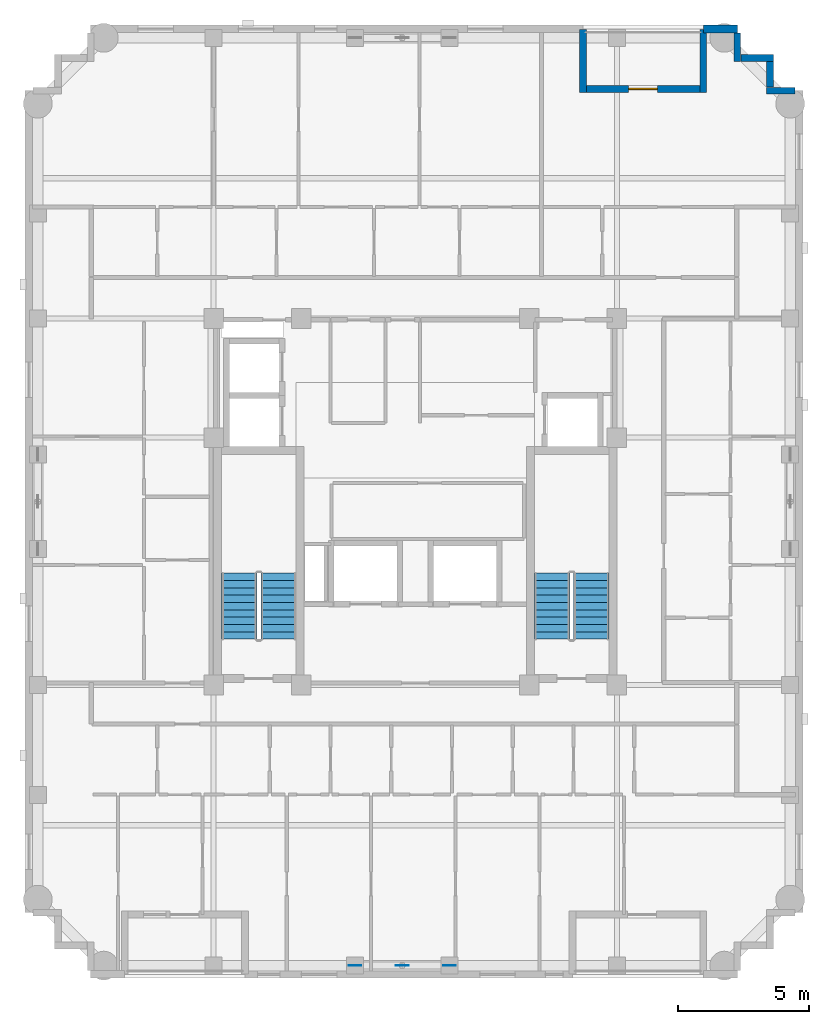
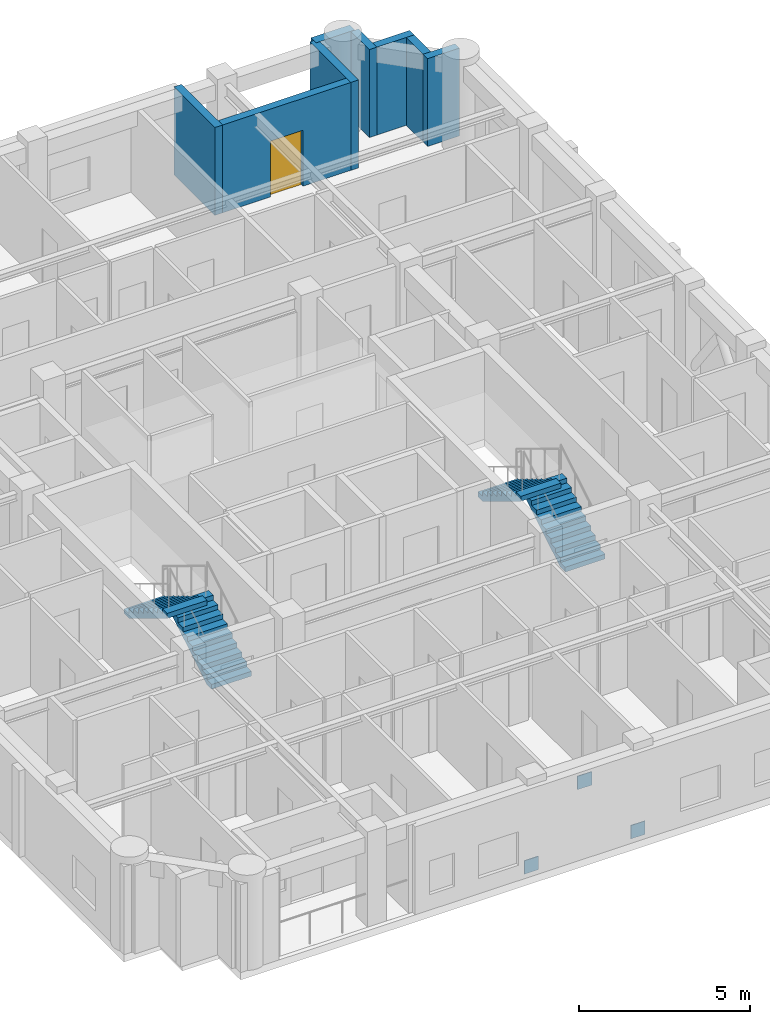
# One storey, part 8 of 11: 8 walls, 4 stair flights, 3 discrete accessories, 1 door, 1 opening, 2 elements without a shape of their own.
"""IFC4 building model written with IfcOpenShell, lengths in metres."""

from ifc_helpers import new_model, si_unit, derived_unit, direction, frame, frame_2d, origin, origin_2d, place, context, subcontext, project, spatial, polyline, rectangle, outline, extrude, material, layer, layer_set, type_object, element, fill, aggregate, save


model = new_model("IFC4")

# Units and contexts
model_context = context("Model", 3, precision=1e-05, world=origin(), true_north=direction((0.0, 1.0)))
body_context = subcontext(model_context, "Body", "Model", "MODEL_VIEW")
ifc_project = project(units=[si_unit("LENGTHUNIT", "METRE"), si_unit("AREAUNIT", "SQUARE_METRE"), si_unit("VOLUMEUNIT", "CUBIC_METRE"), si_unit("PLANEANGLEUNIT", "RADIAN"), si_unit("MASSUNIT", "GRAM", prefix="KILO"), derived_unit("THERMALTRANSMITTANCEUNIT", [(si_unit("MASSUNIT", "GRAM", prefix="KILO"), 1), (si_unit("TIMEUNIT", "SECOND"), -3), (si_unit("THERMODYNAMICTEMPERATUREUNIT", "KELVIN"), -1)])], contexts=[model_context])

# Site, building, storey
site_placement = place(None, origin())
site = spatial("IfcSite", under=ifc_project, at=site_placement, CompositionType="ELEMENT")
building_placement = place(site_placement, origin())
building = spatial("IfcBuilding", under=site, at=building_placement, Name="Korrvale Station Residences", CompositionType="ELEMENT")
storey_placement = place(building_placement, frame((0.0, 0.0, 227.5)))
storey = spatial("IfcBuildingStorey", under=building, at=storey_placement, Name="L66", CompositionType="ELEMENT", Elevation=227.5)

# Wall
ifc_material_1 = material(Name="Precast concrete C45/55", Category="concrete")
ifc_layer_1 = layer(ifc_material_1, 0.260009765625, Name="Precast concrete C45/55")
ifc_layer_set_1 = layer_set([ifc_layer_1], Name="Precast concrete C45/55")
wall_type_1 = type_object("IfcWallType", Name="WAL-EXT-LOG260", PredefinedType="SOLIDWALL", material=ifc_layer_set_1)
wall_1_placement = place(storey_placement, frame((31.89990234375, 40.0400390625, 0.0), z_axis=(0.0, 0.0, 1.0), x_axis=(0.0, -1.0, 0.0)))
element("IfcWall", 1, at=wall_1_placement, inside=storey, type_object=wall_type_1, Name="L66 Recessed Loggia Wall BAL-L66-N1-L", PredefinedType="SOLIDWALL", context=body_context, shape_type="SweptSolid", body=[
    extrude(rectangle(XDim=2.400146484375, YDim=0.260009765625, at=frame_2d((1.2001953125, 0.0))), origin(), (0.0, 0.0, 1.0), 3.139892578125),
])

# Wall, opening, door
wall_2_placement = place(storey_placement, frame((32.033935546875, 37.77001953125, 0.0), z_axis=(0.0, 0.0, 1.0), x_axis=(1.0, 0.0, 0.0)))
wall_2 = element("IfcWall", 2, at=wall_2_placement, inside=storey, type_object=wall_type_1, Name="L66 Recessed Loggia Wall BAL-L66-N1-B", PredefinedType="SOLIDWALL", context=body_context, shape_type="SweptSolid", body=[
    extrude(rectangle(XDim=4.33203125, YDim=0.260009765625, at=frame_2d((2.166015625, 0.0))), origin(), (0.0, 0.0, 1.0), 3.139892578125),
])
opening_placement = place(wall_2_placement, frame((1.615966796875, 0.0, 0.0)))
opening = element("IfcOpeningElement", 3, at=opening_placement, cuts=wall_2, Name="Opening BD-01", PredefinedType="OPENING", context=body_context, shape_type="SweptSolid", body=[
    extrude(rectangle(XDim=1.10009765625, YDim=2.0, at=frame_2d((0.550048828125, 1.0))), frame((0.0, 0.14013671875, 0.0), z_axis=(0.0, -1.0, 0.0), x_axis=(1.0, 0.0, 0.0)), (0.0, 0.0, 1.0), 0.280029296875),
])
ifc_material_2 = material(Name="Exterior thermally broken aluminium glazed balcony door", Category="aluminium")
door_type = type_object("IfcDoorType", Name="DR-EXT-BAL", OperationType="NOTDEFINED", PredefinedType="DOOR", material=ifc_material_2)
door_placement = place(opening_placement, origin())
door = element("IfcDoor", 4, at=door_placement, inside=storey, type_object=door_type, Name="L66 Loggia Balcony Door BAL-L66-N1", OperationType="SINGLE_SWING_LEFT", OverallHeight=2.0, OverallWidth=1.10009765625, PredefinedType="DOOR", context=body_context, shape_type="SweptSolid", body=[
    extrude(rectangle(XDim=1.10009765625, YDim=2.0, at=frame_2d((0.550048828125, 1.0))), frame((0.0, 0.02490234375, 0.0), z_axis=(0.0, -1.0, 0.0), x_axis=(1.0, 0.0, 0.0)), (0.0, 0.0, 1.0), 0.050048828125),
])
fill(opening, door)

# Walls
wall_3_placement = place(storey_placement, frame((36.5, 37.639892578125, 0.0), z_axis=(0.0, 0.0, 1.0), x_axis=(0.0, 1.0, 0.0)))
element("IfcWall", 5, at=wall_3_placement, inside=storey, type_object=wall_type_1, Name="L66 Recessed Loggia Wall BAL-L66-N1-R", PredefinedType="SOLIDWALL", context=body_context, shape_type="SweptSolid", body=[
    extrude(rectangle(XDim=2.400146484375, YDim=0.260009765625, at=frame_2d((1.2001953125, 0.0))), origin(), (0.0, 0.0, 1.0), 3.139892578125),
])
wall_4_placement = place(storey_placement, frame((37.800048828125, 39.89794921875, 0.0), z_axis=(0.0, 0.0, 1.0), x_axis=(0.0, -1.0, 0.0)))
element("IfcWall", 6, at=wall_4_placement, inside=storey, type_object=wall_type_1, Name="L66 Serrated Corner Precast Step NE-1", PredefinedType="SOLIDWALL", context=body_context, shape_type="SweptSolid", body=[
    extrude(rectangle(XDim=1.077880859375, YDim=0.260009765625, at=frame_2d((0.5390625, 0.0))), origin(), (0.0, 0.0, 1.0), 3.139892578125),
])
wall_5_placement = place(storey_placement, frame((37.931884765625, 38.949951171875, 0.0), z_axis=(0.0, 0.0, 1.0), x_axis=(1.0, 0.0, 0.0)))
element("IfcWall", 7, at=wall_5_placement, inside=storey, type_object=wall_type_1, Name="L66 Serrated Corner Precast Step NE-2", PredefinedType="SOLIDWALL", context=body_context, shape_type="SweptSolid", body=[
    extrude(rectangle(XDim=1.248046875, YDim=0.260009765625, at=frame_2d((0.6240234375, 0.0))), origin(), (0.0, 0.0, 1.0), 3.139892578125),
])
wall_6_placement = place(storey_placement, frame((39.050048828125, 38.818115234375, 0.0), z_axis=(0.0, 0.0, 1.0), x_axis=(0.0, -1.0, 0.0)))
element("IfcWall", 8, at=wall_6_placement, inside=storey, type_object=wall_type_1, Name="L66 Serrated Corner Precast Step NE-3", PredefinedType="SOLIDWALL", context=body_context, shape_type="SweptSolid", body=[
    extrude(rectangle(XDim=0.986083984375, YDim=0.260009765625, at=frame_2d((0.4931640625, 0.0))), origin(), (0.0, 0.0, 1.0), 3.139892578125),
])
wall_7_placement = place(storey_placement, frame((38.919921875, 37.699951171875, 0.0), z_axis=(0.0, 0.0, 1.0), x_axis=(1.0, 0.0, 0.0)))
element("IfcWall", 9, at=wall_7_placement, inside=storey, type_object=wall_type_1, Name="L66 Serrated Corner Precast Step NE-4", PredefinedType="SOLIDWALL", context=body_context, shape_type="SweptSolid", body=[
    extrude(rectangle(XDim=1.078125, YDim=0.260009765625, at=frame_2d((0.5390625, 0.0))), origin(), (0.0, 0.0, 1.0), 3.139892578125),
])
ifc_layer_2 = layer(ifc_material_1, 0.300048828125, Name="Precast concrete C45/55")
ifc_layer_set_2 = layer_set([ifc_layer_2], Name="Precast concrete C45/55")
wall_type_2 = type_object("IfcWallType", Name="WAL-EXT-PC300", PredefinedType="SOLIDWALL", material=ifc_layer_set_2)
wall_8_placement = place(storey_placement, frame((36.5, 40.050048828125, 0.0), z_axis=(0.0, 0.0, 1.0), x_axis=(1.0, 0.0, 0.0)))
element("IfcWall", 10, at=wall_8_placement, inside=storey, type_object=wall_type_2, Name="L66 North Exterior Precast Wall 2", PredefinedType="SOLIDWALL", context=body_context, shape_type="SweptSolid", body=[
    extrude(rectangle(XDim=1.300048828125, YDim=0.300048828125, at=frame_2d((0.64990234375, 0.0))), origin(), (0.0, 0.0, 1.0), 3.139892578125),
])

# Stair, stair flights
ifc_material_3 = material(Name="Concrete C50/60", Category="concrete")
stair_type = type_object("IfcStairType", Name="STR-DL-1350-20R-1700", PredefinedType="HALF_TURN_STAIR", material=ifc_material_3)
stair_1_placement = place(storey_placement, origin())
stair_1 = element("IfcStair", 11, at=stair_1_placement, inside=storey, type_object=stair_type, Name="L66 Exit Stair 1", PredefinedType="HALF_TURN_STAIR")
stair_flight_type = type_object("IfcStairFlightType", Name="FLT-DL-1350-20R-1700", PredefinedType="STRAIGHT", material=ifc_material_3)
stair_flight_1_placement = place(storey_placement, frame((20.27490234375, 16.75, 0.0), z_axis=(0.0, 0.0, 1.0), x_axis=(0.0, 1.0, 0.0)))
stair_flight_1 = element("IfcStairFlight", 12, at=stair_flight_1_placement, type_object=stair_flight_type, Name="ST-1 flight 1", NumberOfRisers=10, NumberOfTreads=9, PredefinedType="STRAIGHT", RiserHeight=0.17, TreadLength=0.28, context=body_context, shape_type="SweptSolid", body=[
    extrude(outline(polyline([(0.0, 0.0), (0.0, 0.169921875), (0.280029296875, 0.169921875), (0.280029296875, 0.340087890625), (0.56005859375, 0.340087890625), (0.56005859375, 0.510009765625), (0.840087890625, 0.510009765625), (0.840087890625, 0.679931640625), (1.1201171875, 0.679931640625), (1.1201171875, 0.85009765625), (1.39990234375, 0.85009765625), (1.39990234375, 1.02001953125), (1.679931640625, 1.02001953125), (1.679931640625, 1.18994140625), (1.9599609375, 1.18994140625), (1.9599609375, 1.360107421875), (2.239990234375, 1.360107421875), (2.239990234375, 1.530029296875), (2.52001953125, 1.530029296875), (2.52001953125, 1.699951171875), (2.52001953125, 1.354736328125), (0.288818359375, 0.0), (0.0, 0.0)])), frame((0.0, 0.675048828125, 0.0), z_axis=(0.0, -1.0, 0.0), x_axis=(1.0, 0.0, 0.0)), (0.0, 0.0, 1.0), 1.35009765625),
])
stair_flight_2_placement = place(storey_placement, frame((18.77490234375, 19.27001953125, 1.699951171875), z_axis=(0.0, 0.0, 1.0), x_axis=(0.0, -1.0, 0.0)))
stair_flight_2 = element("IfcStairFlight", 13, at=stair_flight_2_placement, type_object=stair_flight_type, Name="ST-1 flight 2", NumberOfRisers=10, NumberOfTreads=9, PredefinedType="STRAIGHT", RiserHeight=0.17, TreadLength=0.28, context=body_context, shape_type="SweptSolid", body=[
    extrude(outline(polyline([(0.0, 0.0), (0.0, 0.169921875), (0.280029296875, 0.169921875), (0.280029296875, 0.340087890625), (0.56005859375, 0.340087890625), (0.56005859375, 0.510009765625), (0.840087890625, 0.510009765625), (0.840087890625, 0.679931640625), (1.1201171875, 0.679931640625), (1.1201171875, 0.85009765625), (1.39990234375, 0.85009765625), (1.39990234375, 1.02001953125), (1.679931640625, 1.02001953125), (1.679931640625, 1.18994140625), (1.9599609375, 1.18994140625), (1.9599609375, 1.360107421875), (2.239990234375, 1.360107421875), (2.239990234375, 1.530029296875), (2.52001953125, 1.530029296875), (2.52001953125, 1.699951171875), (2.52001953125, 1.354736328125), (0.288818359375, 0.0), (0.0, 0.0)])), frame((0.0, 0.675048828125, 0.0), z_axis=(0.0, -1.0, 0.0), x_axis=(1.0, 0.0, 0.0)), (0.0, 0.0, 1.0), 1.35009765625),
])
aggregate(stair_1, [stair_flight_1, stair_flight_2])

stair_2_placement = place(storey_placement, origin())
stair_2 = element("IfcStair", 14, at=stair_2_placement, inside=storey, type_object=stair_type, Name="L66 Exit Stair 2", PredefinedType="HALF_TURN_STAIR")
stair_flight_3_placement = place(storey_placement, frame((32.22509765625, 16.75, 0.0), z_axis=(0.0, 0.0, 1.0), x_axis=(0.0, 1.0, 0.0)))
stair_flight_3 = element("IfcStairFlight", 15, at=stair_flight_3_placement, type_object=stair_flight_type, Name="ST-2 flight 1", NumberOfRisers=10, NumberOfTreads=9, PredefinedType="STRAIGHT", RiserHeight=0.17, TreadLength=0.28, context=body_context, shape_type="SweptSolid", body=[
    extrude(outline(polyline([(0.0, 0.0), (0.0, 0.169921875), (0.280029296875, 0.169921875), (0.280029296875, 0.340087890625), (0.56005859375, 0.340087890625), (0.56005859375, 0.510009765625), (0.840087890625, 0.510009765625), (0.840087890625, 0.679931640625), (1.1201171875, 0.679931640625), (1.1201171875, 0.85009765625), (1.39990234375, 0.85009765625), (1.39990234375, 1.02001953125), (1.679931640625, 1.02001953125), (1.679931640625, 1.18994140625), (1.9599609375, 1.18994140625), (1.9599609375, 1.360107421875), (2.239990234375, 1.360107421875), (2.239990234375, 1.530029296875), (2.52001953125, 1.530029296875), (2.52001953125, 1.699951171875), (2.52001953125, 1.354736328125), (0.288818359375, 0.0), (0.0, 0.0)])), frame((0.0, 0.675048828125, 0.0), z_axis=(0.0, -1.0, 0.0), x_axis=(1.0, 0.0, 0.0)), (0.0, 0.0, 1.0), 1.35009765625),
])
stair_flight_4_placement = place(storey_placement, frame((30.72509765625, 19.27001953125, 1.699951171875), z_axis=(0.0, 0.0, 1.0), x_axis=(0.0, -1.0, 0.0)))
stair_flight_4 = element("IfcStairFlight", 16, at=stair_flight_4_placement, type_object=stair_flight_type, Name="ST-2 flight 2", NumberOfRisers=10, NumberOfTreads=9, PredefinedType="STRAIGHT", RiserHeight=0.17, TreadLength=0.28, context=body_context, shape_type="SweptSolid", body=[
    extrude(outline(polyline([(0.0, 0.0), (0.0, 0.169921875), (0.280029296875, 0.169921875), (0.280029296875, 0.340087890625), (0.56005859375, 0.340087890625), (0.56005859375, 0.510009765625), (0.840087890625, 0.510009765625), (0.840087890625, 0.679931640625), (1.1201171875, 0.679931640625), (1.1201171875, 0.85009765625), (1.39990234375, 0.85009765625), (1.39990234375, 1.02001953125), (1.679931640625, 1.02001953125), (1.679931640625, 1.18994140625), (1.9599609375, 1.18994140625), (1.9599609375, 1.360107421875), (2.239990234375, 1.360107421875), (2.239990234375, 1.530029296875), (2.52001953125, 1.530029296875), (2.52001953125, 1.699951171875), (2.52001953125, 1.354736328125), (0.288818359375, 0.0), (0.0, 0.0)])), frame((0.0, 0.675048828125, 0.0), z_axis=(0.0, -1.0, 0.0), x_axis=(1.0, 0.0, 0.0)), (0.0, 0.0, 1.0), 1.35009765625),
])
aggregate(stair_2, [stair_flight_3, stair_flight_4])

# Discrete accessories
ifc_material_4 = material(Name="Steel S355", Category="steel")
ifc_layer_3 = layer(ifc_material_4, 0.02490234375, Name="Steel S355")
ifc_layer_set_3 = layer_set([ifc_layer_3], Name="Steel S355")
discrete_accessory_type = type_object("IfcDiscreteAccessoryType", Name="ACC-GUSSET-25", PredefinedType="BRACKET", material=ifc_layer_set_3)
for number, where, z_axis, x_axis, name in (
    (17, (23.199951171875, 4.280029296875, -0.219970703125), (0.0, 0.0, 1.0), (1.0, 0.0, 0.0), "L66 S Brace End Gusset Connection A"),
    (18, (26.800048828125, 4.280029296875, -0.219970703125), (0.0, 0.0, 1.0), (1.0, 0.0, 0.0), "L66 S Brace End Gusset Connection B"),
    (19, (25.0, 4.280029296875, 2.169921875), (0.0, 0.0, 1.0), (1.0, 0.0, 0.0), "L66 S Brace End Gusset Connection M"),
):
    element("IfcDiscreteAccessory", number, at=place(storey_placement, frame(where, z_axis=z_axis, x_axis=x_axis)), inside=storey, type_object=discrete_accessory_type, Name=name, PredefinedType="BRACKET", context=body_context, shape_type="SweptSolid", body=[
        extrude(rectangle(XDim=0.47998046875, YDim=0.02490234375, at=origin_2d()), origin(), (0.0, 0.0, 1.0), 0.47998046875),
    ])

save(model, "model.ifc")
